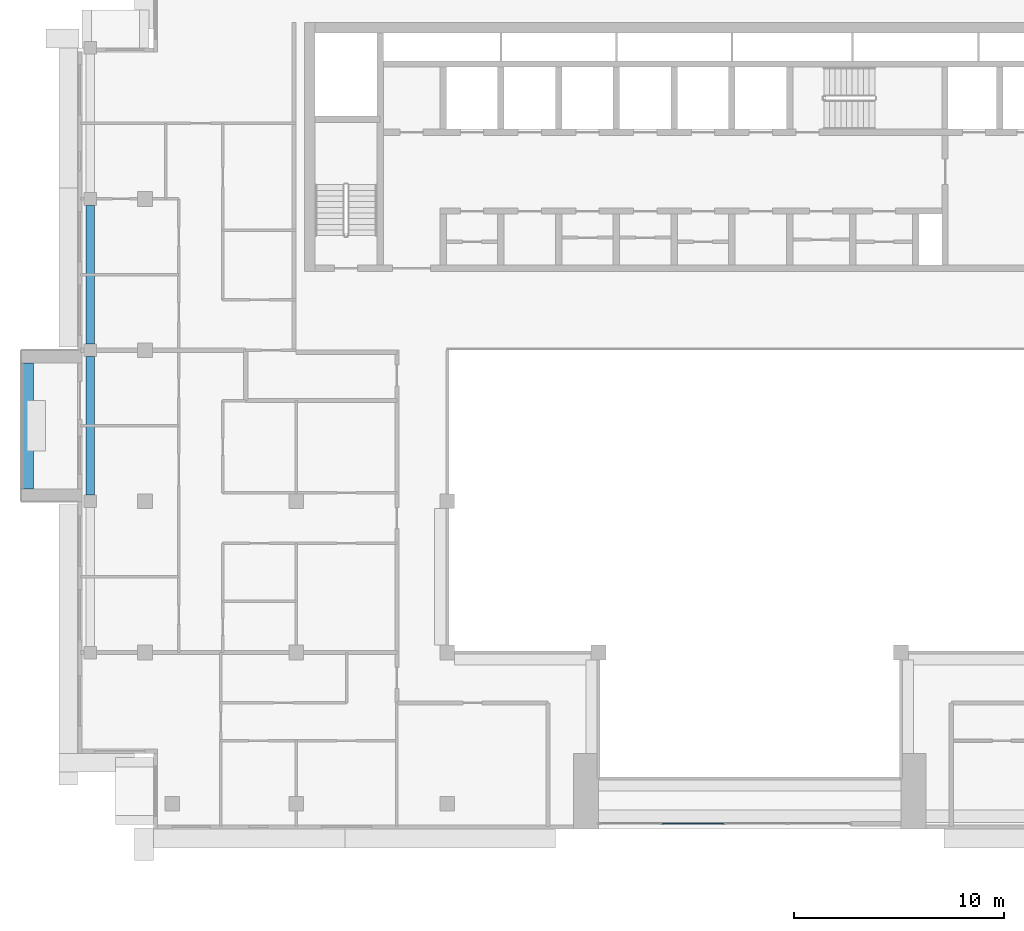
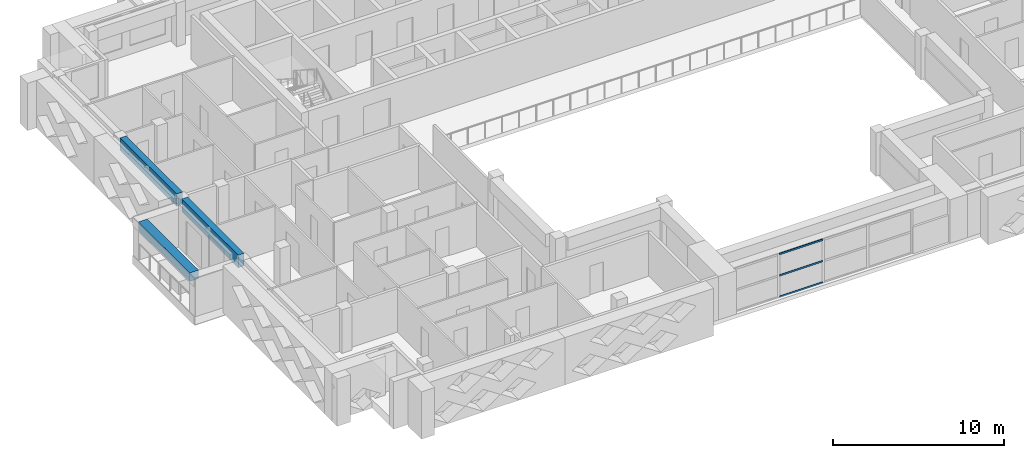
# One storey, part 3 of 19: 3 beams, 3 members, 1 element without a shape of its own.
"""IFC4 building model written with IfcOpenShell, lengths in metres."""

from ifc_helpers import new_model, si_unit, direction, frame, origin, origin_2d, place, context, subcontext, project, spatial, rectangle, extrude, source, transform, mapped, material, layer, layer_set, material_profile, profile_set, type_object, element, aggregate, save


model = new_model("IFC4")

# Units and contexts
model_context = context("Model", 3, precision=1e-05, world=origin(), true_north=direction((0.0, 1.0)))
body_context = subcontext(model_context, "Body", "Model", "MODEL_VIEW")
ifc_project = project(units=[si_unit("LENGTHUNIT", "METRE"), si_unit("AREAUNIT", "SQUARE_METRE"), si_unit("VOLUMEUNIT", "CUBIC_METRE"), si_unit("PLANEANGLEUNIT", "RADIAN"), si_unit("MASSUNIT", "GRAM", prefix="KILO")], contexts=[model_context])

# Site, building, storey
site_placement = place(None, origin())
site = spatial("IfcSite", under=ifc_project, at=site_placement, CompositionType="ELEMENT")
building_placement = place(site_placement, origin())
building = spatial("IfcBuilding", under=site, at=building_placement, Name="Saffron Iwan Residences", CompositionType="ELEMENT")
storey_placement = place(building_placement, frame((0.0, 0.0, 267.5)))
storey = spatial("IfcBuildingStorey", under=building, at=storey_placement, Name="L72", CompositionType="ELEMENT", Elevation=267.5)

# Beams
ifc_material_1 = material(Name="Concrete C40/50", Category="concrete")
ifc_material_profile_1 = material_profile(ifc_material_1, rectangle(XDim=0.39990234375, YDim=0.89990234375, at=origin_2d()), Name="RC 400x900")
ifc_profile_set_1 = profile_set([ifc_material_profile_1], Name="Concrete C40/50")
beam_type_1 = type_object("IfcBeamType", Name="SPANDREL BEAM RC 400x900 C40/50 TOP 3099", PredefinedType="SPANDREL", material=ifc_profile_set_1)
shared_shape_1 = source(origin(), body_context, "Body", "SweptSolid", [
    extrude(rectangle(XDim=0.39990234375, YDim=0.89990234375, at=origin_2d()), origin(), (0.0, 0.0, 1.0), 6.60009765625),
])
for number, where, z_axis, x_axis, name in (
    (1, (19.0, 55.5, 2.64892578125), (0.0, 1.0, 0.0), (-1.0, 0.0, 0.0), "Spandrel beam"),
    (2, (19.0, 62.699951171875, 2.64892578125), (0.0, 1.0, 0.0), (-1.0, 0.0, 0.0), "Spandrel beam"),
):
    element("IfcBeam", number, at=place(storey_placement, frame(where, z_axis=z_axis, x_axis=x_axis)), inside=storey, type_object=beam_type_1, Name=name, PredefinedType="SPANDREL", context=body_context, shape_type="MappedRepresentation", body=[
        mapped(shared_shape_1, transform((0.0, 0.0, 0.0))),
    ])

# Curtain wall, members
ifc_material_2 = material(Name="Clear glass, laminated double glazed", Category="glass")
ifc_layer = layer(ifc_material_2, 0.199951171875)
ifc_layer_set = layer_set([ifc_layer], Name="Clear glass, laminated double glazed")
curtain_wall_type = type_object("IfcCurtainWallType", Name="CW-B IWAN PORTAL", PredefinedType="NOTDEFINED", material=ifc_layer_set)
curtain_wall_placement = place(storey_placement, origin())
curtain_wall = element("IfcCurtainWall", 3, at=curtain_wall_placement, inside=storey, type_object=curtain_wall_type, Name="Iwan portal glazing L72.1", PredefinedType="NOTDEFINED")
ifc_material_3 = material(Name="Aluminium 6063-T6", Category="aluminium")
ifc_material_profile_2 = material_profile(ifc_material_3, rectangle(XDim=0.06005859375, YDim=0.1201171875, at=origin_2d()), Name="CW-B TRANSOM 60 x 120")
ifc_profile_set_2 = profile_set([ifc_material_profile_2], Name="Aluminium 6063-T6")
member_type = type_object("IfcMemberType", Name="CW-B TRANSOM 60 x 120", PredefinedType="USERDEFINED", material=ifc_profile_set_2)
shared_shape_2 = source(origin(), body_context, "Body", "SweptSolid", [
    extrude(rectangle(XDim=0.06005859375, YDim=0.1201171875, at=origin_2d()), origin(), (0.0, 0.0, 1.0), 2.93994140625),
])
member_1_placement = place(storey_placement, frame((46.22998046875, 39.85009765625, 0.030029296875), z_axis=(1.0, 0.0, 0.0), x_axis=(0.0, 1.0, 0.0)))
member_1 = element("IfcMember", 4, at=member_1_placement, type_object=member_type, Name="CW-B transom 2.1", ObjectType="TRANSOM", PredefinedType="USERDEFINED", context=body_context, shape_type="MappedRepresentation", body=[
    mapped(shared_shape_2, transform((0.0, 0.0, 0.0))),
])
member_2_placement = place(storey_placement, frame((46.22998046875, 39.85009765625, 1.549560546875), z_axis=(1.0, 0.0, 0.0), x_axis=(0.0, 1.0, 0.0)))
member_2 = element("IfcMember", 5, at=member_2_placement, type_object=member_type, Name="CW-B transom 2.2", ObjectType="TRANSOM", PredefinedType="USERDEFINED", context=body_context, shape_type="MappedRepresentation", body=[
    mapped(shared_shape_2, transform((0.0, 0.0, 0.0))),
])
member_3_placement = place(storey_placement, frame((46.22998046875, 39.85009765625, 3.069091796875), z_axis=(1.0, 0.0, 0.0), x_axis=(0.0, 1.0, 0.0)))
member_3 = element("IfcMember", 6, at=member_3_placement, type_object=member_type, Name="CW-B transom 2.3", ObjectType="TRANSOM", PredefinedType="USERDEFINED", context=body_context, shape_type="MappedRepresentation", body=[
    mapped(shared_shape_2, transform((0.0, 0.0, 0.0))),
])
aggregate(curtain_wall, [member_1, member_2, member_3])

# Beam
ifc_material_4 = material(Name="Concrete C50/60 white painted", Category="concrete")
ifc_material_profile_3 = material_profile(ifc_material_4, rectangle(XDim=0.60009765625, YDim=0.60009765625, at=origin_2d()), Name="BALCONY FASCIA BEAM 600 x 600")
ifc_profile_set_3 = profile_set([ifc_material_profile_3], Name="Concrete C50/60 white painted")
beam_type_2 = type_object("IfcBeamType", Name="BALCONY FASCIA BEAM 600 x 600", PredefinedType="BEAM", material=ifc_profile_set_3)
shared_shape_3 = source(origin(), body_context, "Body", "SweptSolid", [
    extrude(rectangle(XDim=0.60009765625, YDim=0.60009765625, at=origin_2d()), origin(), (0.0, 0.0, 1.0), 6.0),
])
beam_placement = place(storey_placement, frame((16.0, 61.800048828125, 2.428955078125), z_axis=(0.0, -1.0, 0.0), x_axis=(1.0, 0.0, 0.0)))
element("IfcBeam", 7, at=beam_placement, inside=storey, type_object=beam_type_2, Name="Balcony fascia beam L72 F8-0", PredefinedType="BEAM", context=body_context, shape_type="MappedRepresentation", body=[
    mapped(shared_shape_3, transform((0.0, 0.0, 0.0))),
])

save(model, "model.ifc")
